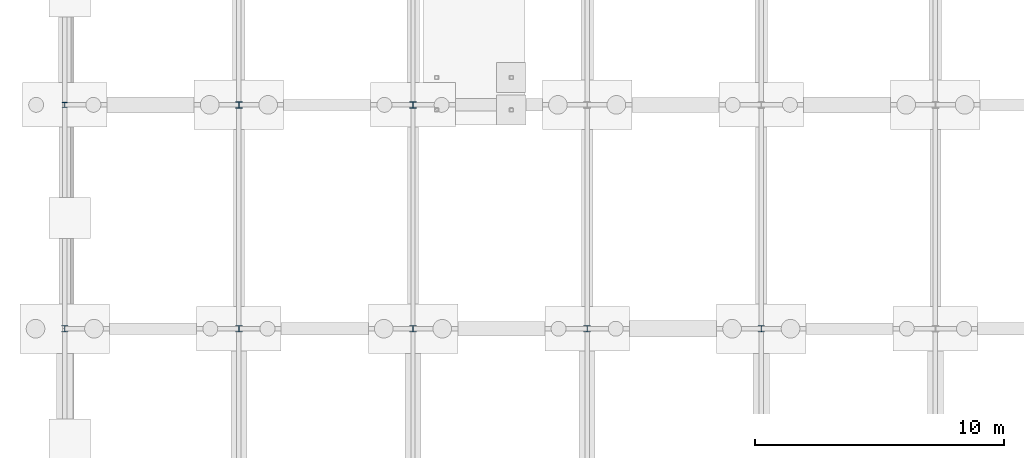
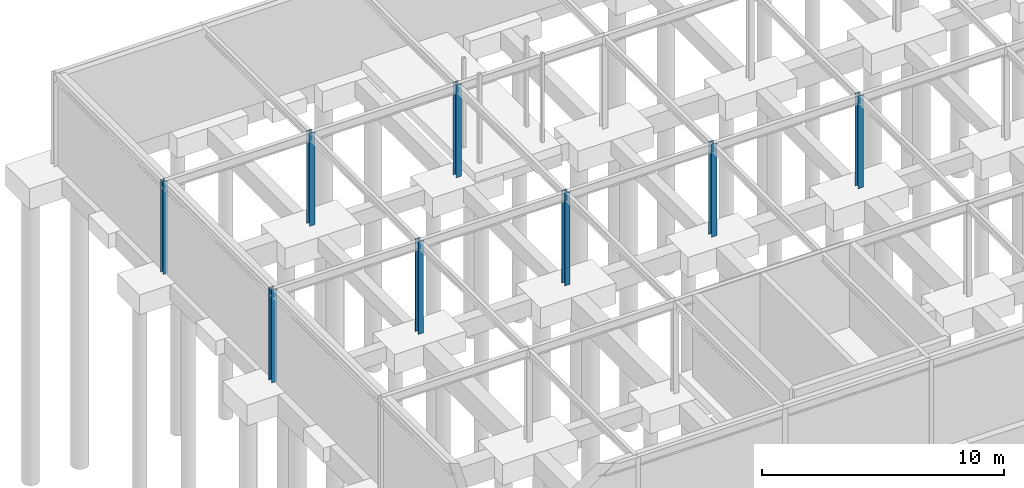
# One storey, part 14 of 75: 8 columns.
"""IFC4 building model written with IfcOpenShell, lengths in metres."""

from ifc_helpers import new_model, si_unit, derived_unit, direction, frame, origin, origin_2d_with_axis, place, context, subcontext, project, spatial, i_section, extrude, material, material_profile, profile_set, type_object, element, save


model = new_model("IFC4")

# Units and contexts
model_context = context("Model", 3, precision=1e-05, world=origin(), true_north=direction((0.0, 1.0)))
body_context = subcontext(model_context, "Body", "Model", "MODEL_VIEW")
ifc_project = project(units=[si_unit("LENGTHUNIT", "METRE"), si_unit("AREAUNIT", "SQUARE_METRE"), si_unit("VOLUMEUNIT", "CUBIC_METRE"), si_unit("PLANEANGLEUNIT", "RADIAN"), si_unit("MASSUNIT", "GRAM", prefix="KILO"), derived_unit("THERMALTRANSMITTANCEUNIT", [(si_unit("POWERUNIT", "WATT"), 1), (si_unit("LENGTHUNIT", "METRE"), -2), (si_unit("THERMODYNAMICTEMPERATUREUNIT", "KELVIN"), -1)])], contexts=[model_context])

# Site, building, storey
site_placement = place(None, origin())
site = spatial("IfcSite", under=ifc_project, at=site_placement, CompositionType="ELEMENT")
building_placement = place(site_placement, origin())
building = spatial("IfcBuilding", under=site, at=building_placement, Name="Cinnabar Yard Market Hall", CompositionType="ELEMENT")
storey_placement = place(building_placement, frame((0.0, 0.0, -4.5)))
storey = spatial("IfcBuildingStorey", under=building, at=storey_placement, Name="B1", CompositionType="ELEMENT", Elevation=-4.5)

# Columns
ifc_material = material(Name="Steel Grade 300 (300 MPa)", Category="steel")
ifc_material_profile_1 = material_profile(ifc_material, i_section(OverallWidth=0.256103515625, OverallDepth=0.260009765625, WebThickness=0.010498046875, FlangeThickness=0.017333984375, FilletRadius=0.013916015625, at=origin_2d_with_axis()), Name="250UC89.5")
ifc_profile_set_1 = profile_set([ifc_material_profile_1], Name="Steel Grade 300 (300 MPa)")
column_type_1 = type_object("IfcColumnType", Name="COL-C10", PredefinedType="COLUMN", material=ifc_profile_set_1)
for number, where, z_axis, x_axis, name in (
    (1, (17.0, 66.0, -0.449951171875), (0.0, 0.0, 1.0), (1.0, 0.0, 0.0), "Pavilion Pier V2-02-03 B1"),
    (2, (17.0, 75.0, -0.449951171875), (0.0, 0.0, 1.0), (1.0, 0.0, 0.0), "Pavilion Pier V2-02-04 B1"),
    (3, (24.0, 66.0, -0.449951171875), (0.0, 0.0, 1.0), (1.0, 0.0, 0.0), "Pavilion Pier V2-03-03 B1"),
    (4, (24.0, 75.0, -0.449951171875), (0.0, 0.0, 1.0), (1.0, 0.0, 0.0), "Pavilion Pier V2-03-04 B1"),
    (5, (31.0, 66.0, -0.449951171875), (0.0, 0.0, 1.0), (1.0, 0.0, 0.0), "Pavilion Pier V2-04-03 B1"),
    (6, (38.0, 66.0, -0.449951171875), (0.0, 0.0, 1.0), (1.0, 0.0, 0.0), "Pavilion Pier V2-05-03 B1"),
):
    element("IfcColumn", number, at=place(storey_placement, frame(where, z_axis=z_axis, x_axis=x_axis)), inside=storey, type_object=column_type_1, Name=name, PredefinedType="COLUMN", context=body_context, shape_type="SweptSolid", body=[
        extrude(i_section(OverallWidth=0.256103515625, OverallDepth=0.260009765625, WebThickness=0.010498046875, FlangeThickness=0.017333984375, FilletRadius=0.013916015625, at=origin_2d_with_axis()), origin(), (0.0, 0.0, 1.0), 4.669921875),
    ])
ifc_material_profile_2 = material_profile(ifc_material, i_section(OverallWidth=0.25390625, OverallDepth=0.25390625, WebThickness=0.008544921875, FlangeThickness=0.01416015625, FilletRadius=0.013916015625, at=origin_2d_with_axis()), Name="250UC72.9")
ifc_profile_set_2 = profile_set([ifc_material_profile_2], Name="Steel Grade 300 (300 MPa)")
column_type_2 = type_object("IfcColumnType", Name="COL-C11", PredefinedType="COLUMN", material=ifc_profile_set_2)
column_1_placement = place(storey_placement, frame((10.0, 66.0, -0.449951171875), z_axis=(0.0, 0.0, 1.0), x_axis=(1.0, 0.0, 0.0)))
element("IfcColumn", 7, at=column_1_placement, inside=storey, type_object=column_type_2, Name="Pavilion Pier V2-01-03 B1", PredefinedType="COLUMN", context=body_context, shape_type="SweptSolid", body=[
    extrude(i_section(OverallWidth=0.25390625, OverallDepth=0.25390625, WebThickness=0.008544921875, FlangeThickness=0.01416015625, FilletRadius=0.013916015625, at=origin_2d_with_axis()), origin(), (0.0, 0.0, 1.0), 4.669921875),
])
ifc_material_profile_3 = material_profile(ifc_material, i_section(OverallWidth=0.205078125, OverallDepth=0.209716796875, WebThickness=0.00927734375, FlangeThickness=0.01416015625, FilletRadius=0.011474609375, at=origin_2d_with_axis()), Name="200UC59.5")
ifc_profile_set_3 = profile_set([ifc_material_profile_3], Name="Steel Grade 300 (300 MPa)")
column_type_3 = type_object("IfcColumnType", Name="COL-C12", PredefinedType="COLUMN", material=ifc_profile_set_3)
column_2_placement = place(storey_placement, frame((10.0, 75.0, -0.449951171875), z_axis=(0.0, 0.0, 1.0), x_axis=(1.0, 0.0, 0.0)))
element("IfcColumn", 8, at=column_2_placement, inside=storey, type_object=column_type_3, Name="Pavilion Pier V2-01-04 B1", PredefinedType="COLUMN", context=body_context, shape_type="SweptSolid", body=[
    extrude(i_section(OverallWidth=0.205078125, OverallDepth=0.209716796875, WebThickness=0.00927734375, FlangeThickness=0.01416015625, FilletRadius=0.011474609375, at=origin_2d_with_axis()), origin(), (0.0, 0.0, 1.0), 4.669921875),
])

save(model, "model.ifc")
